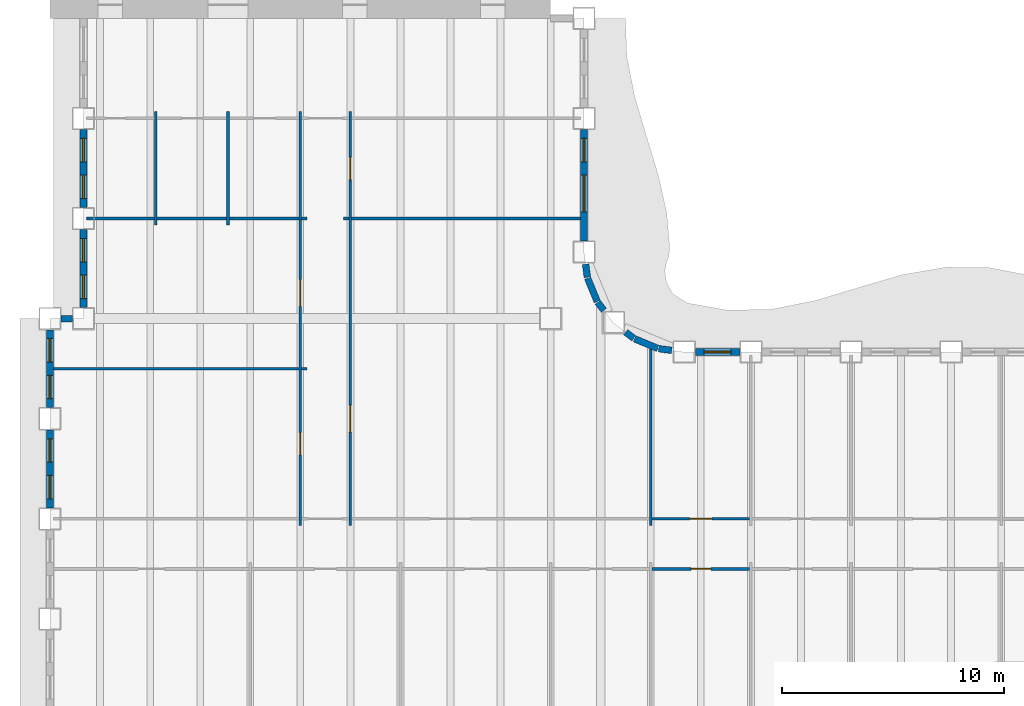
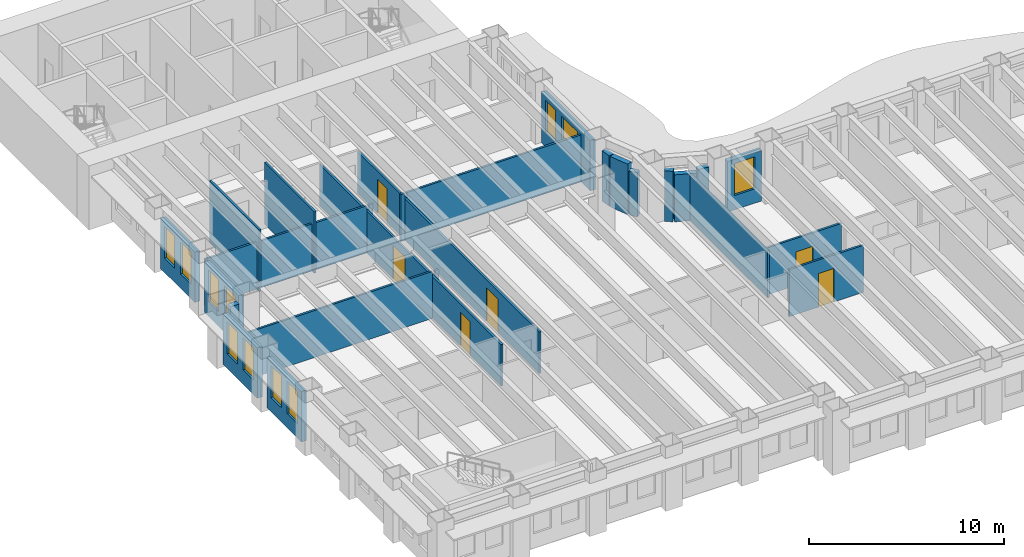
# One storey, part 4 of 16: 28 walls, 11 windows, 6 doors, 17 openings.
"""IFC4 building model written with IfcOpenShell, lengths in metres."""

from ifc_helpers import new_model, si_unit, direction, frame, frame_2d, origin, place, context, subcontext, project, spatial, rectangle, extrude, material, layer, layer_set, type_object, element, fill, save


model = new_model("IFC4")

# Units and contexts
model_context = context("Model", 3, precision=1e-05, world=origin(), true_north=direction((0.0, 1.0)))
body_context = subcontext(model_context, "Body", "Model", "MODEL_VIEW")
ifc_project = project(units=[si_unit("LENGTHUNIT", "METRE"), si_unit("AREAUNIT", "SQUARE_METRE"), si_unit("VOLUMEUNIT", "CUBIC_METRE"), si_unit("PLANEANGLEUNIT", "RADIAN"), si_unit("MASSUNIT", "GRAM", prefix="KILO")], contexts=[model_context])

# Site, building, storey
site_placement = place(None, origin())
site = spatial("IfcSite", under=ifc_project, at=site_placement, CompositionType="ELEMENT")
building_placement = place(site_placement, origin())
building = spatial("IfcBuilding", under=site, at=building_placement, Name="Sennacour Bend Tower", CompositionType="ELEMENT")
storey_placement = place(building_placement, frame((0.0, 0.0, 83.0)))
storey = spatial("IfcBuildingStorey", under=building, at=storey_placement, Name="L18", CompositionType="ELEMENT", Elevation=83.0)

# Walls
ifc_material_1 = material(Name="Plasterboard partition on steel studs", Category="steel")
ifc_layer_1 = layer(ifc_material_1, 0.1201171875, Name="Plasterboard partition on steel studs", Category="steel")
ifc_layer_set_1 = layer_set([ifc_layer_1], Name="Plasterboard partition on steel studs")
wall_type_1 = type_object("IfcWallType", Name="Partition 120", PredefinedType="PARTITIONING", material=ifc_layer_set_1)
for number, where, z_axis, x_axis, name in (
    (1, (4.75, 26.699951171875, 0.0), (0.0, 0.0, 1.0), (0.0, 1.0, 0.0), "P-L18-W007a"),
    (2, (8.0, 26.699951171875, 0.0), (0.0, 0.0, 1.0), (0.0, 1.0, 0.0), "P-L18-W009a"),
):
    element("IfcWall", number, at=place(storey_placement, frame(where, z_axis=z_axis, x_axis=x_axis)), inside=storey, type_object=wall_type_1, Name=name, PredefinedType="PARTITIONING", context=body_context, shape_type="SweptSolid", body=[
        extrude(rectangle(XDim=5.10009765625, YDim=0.1201171875, at=frame_2d((2.550048828125, 0.0))), origin(), (0.0, 0.0, 1.0), 3.85009765625),
    ])

# Wall, openings, doors
wall_1_placement = place(storey_placement, frame((11.25, 13.199951171875, 0.0), z_axis=(0.0, 0.0, 1.0), x_axis=(0.0, 1.0, 0.0)))
wall_1 = element("IfcWall", 3, at=wall_1_placement, inside=storey, type_object=wall_type_1, Name="P-L18-W014a", PredefinedType="PARTITIONING", context=body_context, shape_type="SweptSolid", body=[
    extrude(rectangle(XDim=18.60009765625, YDim=0.1201171875, at=frame_2d((9.300048828125, 0.0))), origin(), (0.0, 0.0, 1.0), 2.60009765625),
])
opening_1_placement = place(wall_1_placement, frame((3.175048828125, 0.0, 0.0)))
opening_1 = element("IfcOpeningElement", 4, at=opening_1_placement, cuts=wall_1, Name="Opening OD2", PredefinedType="OPENING", context=body_context, shape_type="SweptSolid", body=[
    extrude(rectangle(XDim=1.0, YDim=2.10009765625, at=frame_2d((0.5, 1.050048828125))), frame((0.0, 0.070068359375, 0.0), z_axis=(0.0, -1.0, 0.0), x_axis=(1.0, 0.0, 0.0)), (0.0, 0.0, 1.0), 0.14013671875),
])
opening_2_placement = place(wall_1_placement, frame((9.85498046875, 0.0, 0.0)))
opening_2 = element("IfcOpeningElement", 5, at=opening_2_placement, cuts=wall_1, Name="Opening MD", PredefinedType="OPENING", context=body_context, shape_type="SweptSolid", body=[
    extrude(rectangle(XDim=1.199951171875, YDim=2.10009765625, at=frame_2d((0.60009765625, 1.050048828125))), frame((0.0, 0.070068359375, 0.0), z_axis=(0.0, -1.0, 0.0), x_axis=(1.0, 0.0, 0.0)), (0.0, 0.0, 1.0), 0.14013671875),
])
ifc_material_2 = material(Name="Timber", Category="wood")
door_type_1 = type_object("IfcDoorType", Name="DR-MEETING-1200", OperationType="NOTDEFINED", PredefinedType="DOOR", material=ifc_material_2)
door_1_placement = place(opening_2_placement, origin())
door_1 = element("IfcDoor", 6, at=door_1_placement, inside=storey, type_object=door_type_1, Name="Door", OperationType="SINGLE_SWING_RIGHT", OverallHeight=2.10009765625, OverallWidth=1.199951171875, PredefinedType="DOOR", context=body_context, shape_type="SweptSolid", body=[
    extrude(rectangle(XDim=1.199951171875, YDim=2.10009765625, at=frame_2d((0.60009765625, 1.050048828125))), frame((0.0, 0.02490234375, 0.0), z_axis=(0.0, -1.0, 0.0), x_axis=(1.0, 0.0, 0.0)), (0.0, 0.0, 1.0), 0.050048828125),
])
fill(opening_2, door_1)
door_type_2 = type_object("IfcDoorType", Name="DR-OFFICE-1000", OperationType="NOTDEFINED", PredefinedType="DOOR", material=ifc_material_2)
door_2_placement = place(opening_1_placement, origin())
door_2 = element("IfcDoor", 7, at=door_2_placement, inside=storey, type_object=door_type_2, Name="Door", OperationType="SINGLE_SWING_LEFT", OverallHeight=2.10009765625, OverallWidth=1.0, PredefinedType="DOOR", context=body_context, shape_type="SweptSolid", body=[
    extrude(rectangle(XDim=1.0, YDim=2.10009765625, at=frame_2d((0.5, 1.050048828125))), frame((0.0, 0.02490234375, 0.0), z_axis=(0.0, -1.0, 0.0), x_axis=(1.0, 0.0, 0.0)), (0.0, 0.0, 1.0), 0.050048828125),
])
fill(opening_1, door_2)

wall_2_placement = place(storey_placement, frame((13.5, 13.199951171875, 0.0), z_axis=(0.0, 0.0, 1.0), x_axis=(0.0, 1.0, 0.0)))
wall_2 = element("IfcWall", 8, at=wall_2_placement, inside=storey, type_object=wall_type_1, Name="P-L18-W016a", PredefinedType="PARTITIONING", context=body_context, shape_type="SweptSolid", body=[
    extrude(rectangle(XDim=18.60009765625, YDim=0.1201171875, at=frame_2d((9.300048828125, 0.0))), origin(), (0.0, 0.0, 1.0), 2.60009765625),
])
opening_3_placement = place(wall_2_placement, frame((15.550048828125, 0.0, 0.0)))
opening_3 = element("IfcOpeningElement", 9, at=opening_3_placement, cuts=wall_2, Name="Opening OD2", PredefinedType="OPENING", context=body_context, shape_type="SweptSolid", body=[
    extrude(rectangle(XDim=1.0, YDim=2.10009765625, at=frame_2d((0.5, 1.050048828125))), frame((0.0, 0.070068359375, 0.0), z_axis=(0.0, -1.0, 0.0), x_axis=(1.0, 0.0, 0.0)), (0.0, 0.0, 1.0), 0.14013671875),
])
opening_4_placement = place(wall_2_placement, frame((4.199951171875, 0.0, 0.0)))
opening_4 = element("IfcOpeningElement", 10, at=opening_4_placement, cuts=wall_2, Name="Opening OD", PredefinedType="OPENING", context=body_context, shape_type="SweptSolid", body=[
    extrude(rectangle(XDim=1.199951171875, YDim=2.10009765625, at=frame_2d((0.60009765625, 1.050048828125))), frame((0.0, 0.070068359375, 0.0), z_axis=(0.0, -1.0, 0.0), x_axis=(1.0, 0.0, 0.0)), (0.0, 0.0, 1.0), 0.14013671875),
])
door_3_placement = place(opening_3_placement, origin())
door_3 = element("IfcDoor", 11, at=door_3_placement, inside=storey, type_object=door_type_2, Name="Door", OperationType="SINGLE_SWING_RIGHT", OverallHeight=2.10009765625, OverallWidth=1.0, PredefinedType="DOOR", context=body_context, shape_type="SweptSolid", body=[
    extrude(rectangle(XDim=1.0, YDim=2.10009765625, at=frame_2d((0.5, 1.050048828125))), frame((0.0, 0.02490234375, 0.0), z_axis=(0.0, -1.0, 0.0), x_axis=(1.0, 0.0, 0.0)), (0.0, 0.0, 1.0), 0.050048828125),
])
fill(opening_3, door_3)
door_type_3 = type_object("IfcDoorType", Name="DR-OFFICE-1200", OperationType="NOTDEFINED", PredefinedType="DOOR", material=ifc_material_2)
door_4_placement = place(opening_4_placement, origin())
door_4 = element("IfcDoor", 12, at=door_4_placement, inside=storey, type_object=door_type_3, Name="Door", OperationType="SINGLE_SWING_LEFT", OverallHeight=2.10009765625, OverallWidth=1.199951171875, PredefinedType="DOOR", context=body_context, shape_type="SweptSolid", body=[
    extrude(rectangle(XDim=1.199951171875, YDim=2.10009765625, at=frame_2d((0.60009765625, 1.050048828125))), frame((0.0, 0.02490234375, 0.0), z_axis=(0.0, -1.0, 0.0), x_axis=(1.0, 0.0, 0.0)), (0.0, 0.0, 1.0), 0.050048828125),
])
fill(opening_4, door_4)

# Wall
wall_3_placement = place(storey_placement, frame((27.0, 13.199951171875, 0.0), z_axis=(0.0, 0.0, 1.0), x_axis=(0.0, 1.0, 0.0)))
element("IfcWall", 13, at=wall_3_placement, inside=storey, type_object=wall_type_1, Name="P-L18-W027a", PredefinedType="PARTITIONING", context=body_context, shape_type="SweptSolid", body=[
    extrude(rectangle(XDim=7.929931640625, YDim=0.1201171875, at=frame_2d((3.96484375, 0.0))), origin(), (0.0, 0.0, 1.0), 2.93798828125),
])

# Wall, opening, door
wall_4_placement = place(storey_placement, frame((27.06005859375, 13.5, 0.0), z_axis=(0.0, 0.0, 1.0), x_axis=(1.0, 0.0, 0.0)))
wall_4 = element("IfcWall", 14, at=wall_4_placement, inside=storey, type_object=wall_type_1, Name="P-L18-W060ad", PredefinedType="PARTITIONING", context=body_context, shape_type="SweptSolid", body=[
    extrude(rectangle(XDim=4.3798828125, YDim=0.1201171875, at=frame_2d((2.18994140625, 0.0))), origin(), (0.0, 0.0, 1.0), 2.93798828125),
])
opening_5_placement = place(wall_4_placement, frame((1.68994140625, 0.0, 0.0)))
opening_5 = element("IfcOpeningElement", 15, at=opening_5_placement, cuts=wall_4, Name="Opening OD2", PredefinedType="OPENING", context=body_context, shape_type="SweptSolid", body=[
    extrude(rectangle(XDim=1.0, YDim=2.10009765625, at=frame_2d((0.5, 1.050048828125))), frame((0.0, 0.070068359375, 0.0), z_axis=(0.0, -1.0, 0.0), x_axis=(1.0, 0.0, 0.0)), (0.0, 0.0, 1.0), 0.14013671875),
])
door_5_placement = place(opening_5_placement, origin())
door_5 = element("IfcDoor", 16, at=door_5_placement, inside=storey, type_object=door_type_2, Name="Door", OperationType="SINGLE_SWING_LEFT", OverallHeight=2.10009765625, OverallWidth=1.0, PredefinedType="DOOR", context=body_context, shape_type="SweptSolid", body=[
    extrude(rectangle(XDim=1.0, YDim=2.10009765625, at=frame_2d((0.5, 1.050048828125))), frame((0.0, 0.02490234375, 0.0), z_axis=(0.0, -1.0, 0.0), x_axis=(1.0, 0.0, 0.0)), (0.0, 0.0, 1.0), 0.050048828125),
])
fill(opening_5, door_5)

# Walls
wall_5_placement = place(storey_placement, frame((0.14990234375, 20.25, 0.0), z_axis=(0.0, 0.0, 1.0), x_axis=(1.0, 0.0, 0.0)))
element("IfcWall", 17, at=wall_5_placement, inside=storey, type_object=wall_type_1, Name="P-L18-W067aa", PredefinedType="PARTITIONING", context=body_context, shape_type="SweptSolid", body=[
    extrude(rectangle(XDim=11.0400390625, YDim=0.1201171875, at=frame_2d((5.52001953125, 0.0))), origin(), (0.0, 0.0, 1.0), 2.93798828125),
])
wall_6_placement = place(storey_placement, frame((11.31005859375, 20.25, 0.0), z_axis=(0.0, 0.0, 1.0), x_axis=(1.0, 0.0, 0.0)))
element("IfcWall", 18, at=wall_6_placement, inside=storey, type_object=wall_type_1, Name="P-L18-W067ab", PredefinedType="PARTITIONING", context=body_context, shape_type="SweptSolid", body=[
    extrude(rectangle(XDim=0.239990234375, YDim=0.1201171875, at=frame_2d((0.1201171875, 0.0))), origin(), (0.0, 0.0, 1.0), 2.93798828125),
])
wall_7_placement = place(storey_placement, frame((1.64990234375, 27.0, 0.0), z_axis=(0.0, 0.0, 1.0), x_axis=(1.0, 0.0, 0.0)))
element("IfcWall", 19, at=wall_7_placement, inside=storey, type_object=wall_type_1, Name="P-L18-W070aa", PredefinedType="PARTITIONING", context=body_context, shape_type="SweptSolid", body=[
    extrude(rectangle(XDim=3.0400390625, YDim=0.1201171875, at=frame_2d((1.52001953125, 0.0))), origin(), (0.0, 0.0, 1.0), 2.93798828125),
])
for number, where, z_axis, x_axis, name in (
    (20, (4.81005859375, 27.0, 0.0), (0.0, 0.0, 1.0), (1.0, 0.0, 0.0), "P-L18-W070ab"),
    (21, (8.06005859375, 27.0, 0.0), (0.0, 0.0, 1.0), (1.0, 0.0, 0.0), "P-L18-W070ac"),
):
    element("IfcWall", number, at=place(storey_placement, frame(where, z_axis=z_axis, x_axis=x_axis)), inside=storey, type_object=wall_type_1, Name=name, PredefinedType="PARTITIONING", context=body_context, shape_type="SweptSolid", body=[
        extrude(rectangle(XDim=3.1298828125, YDim=0.1201171875, at=frame_2d((1.56494140625, 0.0))), origin(), (0.0, 0.0, 1.0), 2.93798828125),
    ])
for number, where, z_axis, x_axis, name in (
    (22, (11.31005859375, 27.0, 0.0), (0.0, 0.0, 1.0), (1.0, 0.0, 0.0), "P-L18-W070ad"),
    (23, (13.199951171875, 27.0, 0.0), (0.0, 0.0, 1.0), (1.0, 0.0, 0.0), "P-L18-W071aa"),
):
    element("IfcWall", number, at=place(storey_placement, frame(where, z_axis=z_axis, x_axis=x_axis)), inside=storey, type_object=wall_type_1, Name=name, PredefinedType="PARTITIONING", context=body_context, shape_type="SweptSolid", body=[
        extrude(rectangle(XDim=0.239990234375, YDim=0.1201171875, at=frame_2d((0.1201171875, 0.0))), origin(), (0.0, 0.0, 1.0), 2.93798828125),
    ])
wall_8_placement = place(storey_placement, frame((13.56005859375, 27.0, 0.0), z_axis=(0.0, 0.0, 1.0), x_axis=(1.0, 0.0, 0.0)))
element("IfcWall", 24, at=wall_8_placement, inside=storey, type_object=wall_type_1, Name="P-L18-W071ab", PredefinedType="PARTITIONING", context=body_context, shape_type="SweptSolid", body=[
    extrude(rectangle(XDim=10.2900390625, YDim=0.1201171875, at=frame_2d((5.14501953125, 0.0))), origin(), (0.0, 0.0, 1.0), 2.93798828125),
])

# Wall, opening, door
ifc_layer_2 = layer(ifc_material_1, 0.1201171875, Name="Plasterboard partition on steel studs", Category="steel")
ifc_layer_set_2 = layer_set([ifc_layer_2], Name="Plasterboard partition on steel studs")
wall_type_2 = type_object("IfcWallType", Name="Partition 120 EI 60", PredefinedType="PARTITIONING", material=ifc_layer_set_2)
wall_9_placement = place(storey_placement, frame((27.06005859375, 11.25, 0.0), z_axis=(0.0, 0.0, 1.0), x_axis=(1.0, 0.0, 0.0)))
wall_9 = element("IfcWall", 25, at=wall_9_placement, inside=storey, type_object=wall_type_2, Name="P-L18-W058ae", PredefinedType="PARTITIONING", context=body_context, shape_type="SweptSolid", body=[
    extrude(rectangle(XDim=4.3798828125, YDim=0.1201171875, at=frame_2d((2.18994140625, 0.0))), origin(), (0.0, 0.0, 1.0), 2.93798828125),
])
opening_6_placement = place(wall_9_placement, frame((1.739990234375, 0.0, 0.0)))
opening_6 = element("IfcOpeningElement", 26, at=opening_6_placement, cuts=wall_9, Name="Opening SV", PredefinedType="OPENING", context=body_context, shape_type="SweptSolid", body=[
    extrude(rectangle(XDim=0.89990234375, YDim=2.10009765625, at=frame_2d((0.449951171875, 1.050048828125))), frame((0.0, 0.070068359375, 0.0), z_axis=(0.0, -1.0, 0.0), x_axis=(1.0, 0.0, 0.0)), (0.0, 0.0, 1.0), 0.14013671875),
])
ifc_material_3 = material(Name="Painted steel", Category="steel")
door_type_4 = type_object("IfcDoorType", Name="DR-SERVICE-900", OperationType="NOTDEFINED", PredefinedType="DOOR", material=ifc_material_3)
door_6_placement = place(opening_6_placement, origin())
door_6 = element("IfcDoor", 27, at=door_6_placement, inside=storey, type_object=door_type_4, Name="Door", OperationType="SINGLE_SWING_LEFT", OverallHeight=2.10009765625, OverallWidth=0.89990234375, PredefinedType="DOOR", context=body_context, shape_type="SweptSolid", body=[
    extrude(rectangle(XDim=0.89990234375, YDim=2.10009765625, at=frame_2d((0.449951171875, 1.050048828125))), frame((0.0, 0.02490234375, 0.0), z_axis=(0.0, -1.0, 0.0), x_axis=(1.0, 0.0, 0.0)), (0.0, 0.0, 1.0), 0.050048828125),
])
fill(opening_6, door_6)

# Wall, opening, window
ifc_material_4 = material(Name="Warm limestone cladding", Category="masonry")
ifc_layer_3 = layer(ifc_material_4, 0.050048828125, Name="Warm limestone cladding", Category="masonry")
ifc_material_5 = material(Name="Precast concrete C40/50", Category="concrete")
ifc_layer_4 = layer(ifc_material_5, 0.25, Name="Precast concrete C40/50", Category="concrete")
ifc_layer_set_3 = layer_set([ifc_layer_3, ifc_layer_4], Name="Precast concrete C40/50 with limestone cladding")
wall_type_3 = type_object("IfcWallType", Name="STONE-CLAD PRECAST SPANDREL 300", PredefinedType="STANDARD", material=ifc_layer_set_3)
wall_10_placement = place(storey_placement, frame((31.0, 21.0, 0.0), z_axis=(0.0, 0.0, 1.0), x_axis=(-1.0, 0.0, 0.0)))
wall_10 = element("IfcWall", 28, at=wall_10_placement, inside=storey, type_object=wall_type_3, Name="Stone spandrel and pier wall L18 06.05", PredefinedType="STANDARD", context=body_context, shape_type="SweptSolid", body=[
    extrude(rectangle(XDim=2.0, YDim=0.300048828125, at=frame_2d((1.0, 0.0))), origin(), (0.0, 0.0, 1.0), 3.154052734375),
])
opening_7_placement = place(wall_10_placement, frame((0.39990234375, 0.0, 0.89990234375)))
opening_7 = element("IfcOpeningElement", 29, at=opening_7_placement, cuts=wall_10, Name="Opening W14", PredefinedType="OPENING", context=body_context, shape_type="SweptSolid", body=[
    extrude(rectangle(XDim=1.199951171875, YDim=2.0, at=frame_2d((0.60009765625, 1.0))), frame((0.0, 0.16015625, 0.0), z_axis=(0.0, -1.0, 0.0), x_axis=(1.0, 0.0, 0.0)), (0.0, 0.0, 1.0), 0.320068359375),
])
ifc_material_6 = material(Name="Clear low-emissivity glass", Category="glass")
window_type_1 = type_object("IfcWindowType", Name="WIN-RIBBON-1200x2000", PartitioningType="SINGLE_PANEL", PredefinedType="WINDOW", material=ifc_material_6)
window_1_placement = place(opening_7_placement, origin())
window_1 = element("IfcWindow", 30, at=window_1_placement, inside=storey, type_object=window_type_1, Name="Ribbon window L18 06.05", OverallHeight=2.0, OverallWidth=1.199951171875, PartitioningType="SINGLE_PANEL", PredefinedType="WINDOW", context=body_context, shape_type="SweptSolid", body=[
    extrude(rectangle(XDim=1.199951171875, YDim=2.0, at=frame_2d((0.60009765625, 1.0))), frame((0.0, 0.030029296875, 0.0), z_axis=(0.0, -1.0, 0.0), x_axis=(1.0, 0.0, 0.0)), (0.0, 0.0, 1.0), 0.06005859375),
])
fill(opening_7, window_1)

# Walls
wall_11_placement = place(storey_placement, frame((27.94384765625, 21.0732421875, 0.0), z_axis=(0.0, 0.0, 1.0), x_axis=(-0.991420685839, 0.130709692412, 0.0)))
element("IfcWall", 31, at=wall_11_placement, inside=storey, type_object=wall_type_3, Name="Stone spandrel and pier wall L18 07.00", PredefinedType="STANDARD", context=body_context, shape_type="SweptSolid", body=[
    extrude(rectangle(XDim=0.593994140625, YDim=0.300048828125, at=frame_2d((0.296875, 0.0))), origin(), (0.0, 0.0, 1.0), 3.154052734375),
])
wall_12_placement = place(storey_placement, frame((27.317138671875, 21.160888671875, 0.0), z_axis=(0.0, 0.0, 1.0), x_axis=(-0.923914616768, 0.382598720491, 0.0)))
element("IfcWall", 32, at=wall_12_placement, inside=storey, type_object=wall_type_3, Name="Stone spandrel and pier wall L18 08.00", PredefinedType="STANDARD", context=body_context, shape_type="SweptSolid", body=[
    extrude(rectangle(XDim=1.13525390625, YDim=0.300048828125, at=frame_2d((0.567626953125, 0.0))), origin(), (0.0, 0.0, 1.0), 2.93798828125),
])
wall_13_placement = place(storey_placement, frame((26.234375, 21.614990234375, 0.0), z_axis=(0.0, 0.0, 1.0), x_axis=(-0.793563062559, 0.608488016104, 0.0)))
element("IfcWall", 33, at=wall_13_placement, inside=storey, type_object=wall_type_3, Name="Stone spandrel and pier wall L18 09.00", PredefinedType="STANDARD", context=body_context, shape_type="SweptSolid", body=[
    extrude(rectangle(XDim=0.453857421875, YDim=0.300048828125, at=frame_2d((0.22705078125, 0.0))), origin(), (0.0, 0.0, 1.0), 3.154052734375),
])
wall_14_placement = place(storey_placement, frame((24.89111328125, 22.874267578125, 0.0), z_axis=(0.0, 0.0, 1.0), x_axis=(-0.608488016104, 0.793563062559, 0.0)))
element("IfcWall", 34, at=wall_14_placement, inside=storey, type_object=wall_type_3, Name="Stone spandrel and pier wall L18 10.00", PredefinedType="STANDARD", context=body_context, shape_type="SweptSolid", body=[
    extrude(rectangle(XDim=0.453857421875, YDim=0.300048828125, at=frame_2d((0.22705078125, 0.0))), origin(), (0.0, 0.0, 1.0), 2.760009765625),
])
wall_15_placement = place(storey_placement, frame((24.59521484375, 23.268310546875, 0.0), z_axis=(0.0, 0.0, 1.0), x_axis=(-0.382598720491, 0.923914616768, 0.0)))
element("IfcWall", 35, at=wall_15_placement, inside=storey, type_object=wall_type_3, Name="Stone spandrel and pier wall L18 11.00", PredefinedType="STANDARD", context=body_context, shape_type="SweptSolid", body=[
    extrude(rectangle(XDim=1.13525390625, YDim=0.300048828125, at=frame_2d((0.567626953125, 0.0))), origin(), (0.0, 0.0, 1.0), 3.154052734375),
])
wall_16_placement = place(storey_placement, frame((24.15087890625, 24.35498046875, 0.0), z_axis=(0.0, 0.0, 1.0), x_axis=(-0.130709692412, 0.991420685839, 0.0)))
element("IfcWall", 36, at=wall_16_placement, inside=storey, type_object=wall_type_3, Name="Stone spandrel and pier wall L18 12.00", PredefinedType="STANDARD", context=body_context, shape_type="SweptSolid", body=[
    extrude(rectangle(XDim=0.593994140625, YDim=0.300048828125, at=frame_2d((0.296875, 0.0))), origin(), (0.0, 0.0, 1.0), 3.154052734375),
])

# Wall, openings, windows
wall_17_placement = place(storey_placement, frame((24.0, 26.0, 0.0), z_axis=(0.0, 0.0, 1.0), x_axis=(0.0, 1.0, 0.0)))
wall_17 = element("IfcWall", 37, at=wall_17_placement, inside=storey, type_object=wall_type_3, Name="Stone spandrel and pier wall L18 13.00", PredefinedType="STANDARD", context=body_context, shape_type="SweptSolid", body=[
    extrude(rectangle(XDim=5.0, YDim=0.300048828125, at=frame_2d((2.5, 0.0))), origin(), (0.0, 0.0, 1.0), 3.154052734375),
])
opening_8_placement = place(wall_17_placement, frame((1.300048828125, 0.0, 0.89990234375)))
opening_8 = element("IfcOpeningElement", 38, at=opening_8_placement, cuts=wall_17, Name="Opening W10", PredefinedType="OPENING", context=body_context, shape_type="SweptSolid", body=[
    extrude(rectangle(XDim=1.64990234375, YDim=2.0, at=frame_2d((0.824951171875, 1.0))), frame((0.0, 0.16015625, 0.0), z_axis=(0.0, -1.0, 0.0), x_axis=(1.0, 0.0, 0.0)), (0.0, 0.0, 1.0), 0.320068359375),
])
opening_9_placement = place(wall_17_placement, frame((3.550048828125, 0.0, 0.89990234375)))
opening_9 = element("IfcOpeningElement", 39, at=opening_9_placement, cuts=wall_17, Name="Opening W13", PredefinedType="OPENING", context=body_context, shape_type="SweptSolid", body=[
    extrude(rectangle(XDim=1.050048828125, YDim=2.0, at=frame_2d((0.52490234375, 1.0))), frame((0.0, 0.16015625, 0.0), z_axis=(0.0, -1.0, 0.0), x_axis=(1.0, 0.0, 0.0)), (0.0, 0.0, 1.0), 0.320068359375),
])
window_type_2 = type_object("IfcWindowType", Name="WIN-RIBBON-1050x2000", PartitioningType="SINGLE_PANEL", PredefinedType="WINDOW", material=ifc_material_6)
window_2_placement = place(opening_9_placement, origin())
window_2 = element("IfcWindow", 40, at=window_2_placement, inside=storey, type_object=window_type_2, Name="Ribbon window L18 13.00.1", OverallHeight=2.0, OverallWidth=1.050048828125, PartitioningType="SINGLE_PANEL", PredefinedType="WINDOW", context=body_context, shape_type="SweptSolid", body=[
    extrude(rectangle(XDim=1.050048828125, YDim=2.0, at=frame_2d((0.52490234375, 1.0))), frame((0.0, 0.030029296875, 0.0), z_axis=(0.0, -1.0, 0.0), x_axis=(1.0, 0.0, 0.0)), (0.0, 0.0, 1.0), 0.06005859375),
])
fill(opening_9, window_2)
window_type_3 = type_object("IfcWindowType", Name="WIN-RIBBON-1650x2000", PartitioningType="SINGLE_PANEL", PredefinedType="WINDOW", material=ifc_material_6)
window_3_placement = place(opening_8_placement, origin())
window_3 = element("IfcWindow", 41, at=window_3_placement, inside=storey, type_object=window_type_3, Name="Ribbon window L18 13.00.0", OverallHeight=2.0, OverallWidth=1.64990234375, PartitioningType="SINGLE_PANEL", PredefinedType="WINDOW", context=body_context, shape_type="SweptSolid", body=[
    extrude(rectangle(XDim=1.64990234375, YDim=2.0, at=frame_2d((0.824951171875, 1.0))), frame((0.0, 0.030029296875, 0.0), z_axis=(0.0, -1.0, 0.0), x_axis=(1.0, 0.0, 0.0)), (0.0, 0.0, 1.0), 0.06005859375),
])
fill(opening_8, window_3)

wall_18_placement = place(storey_placement, frame((1.5, 31.0, 0.0), z_axis=(0.0, 0.0, 1.0), x_axis=(0.0, -1.0, 0.0)))
wall_18 = element("IfcWall", 42, at=wall_18_placement, inside=storey, type_object=wall_type_3, Name="Stone spandrel and pier wall L18 19.01", PredefinedType="STANDARD", context=body_context, shape_type="SweptSolid", body=[
    extrude(rectangle(XDim=3.5, YDim=0.300048828125, at=frame_2d((1.75, 0.0))), origin(), (0.0, 0.0, 1.0), 3.154052734375),
])
opening_10_placement = place(wall_18_placement, frame((0.39990234375, 0.0, 0.89990234375)))
opening_10 = element("IfcOpeningElement", 43, at=opening_10_placement, cuts=wall_18, Name="Opening W13", PredefinedType="OPENING", context=body_context, shape_type="SweptSolid", body=[
    extrude(rectangle(XDim=1.050048828125, YDim=2.0, at=frame_2d((0.52490234375, 1.0))), frame((0.0, 0.16015625, 0.0), z_axis=(0.0, -1.0, 0.0), x_axis=(1.0, 0.0, 0.0)), (0.0, 0.0, 1.0), 0.320068359375),
])
opening_11_placement = place(wall_18_placement, frame((2.050048828125, 0.0, 0.89990234375)))
opening_11 = element("IfcOpeningElement", 44, at=opening_11_placement, cuts=wall_18, Name="Opening W13", PredefinedType="OPENING", context=body_context, shape_type="SweptSolid", body=[
    extrude(rectangle(XDim=1.050048828125, YDim=2.0, at=frame_2d((0.52490234375, 1.0))), frame((0.0, 0.16015625, 0.0), z_axis=(0.0, -1.0, 0.0), x_axis=(1.0, 0.0, 0.0)), (0.0, 0.0, 1.0), 0.320068359375),
])
window_4_placement = place(opening_10_placement, origin())
window_4 = element("IfcWindow", 45, at=window_4_placement, inside=storey, type_object=window_type_2, Name="Ribbon window L18 19.01.0", OverallHeight=2.0, OverallWidth=1.050048828125, PartitioningType="SINGLE_PANEL", PredefinedType="WINDOW", context=body_context, shape_type="SweptSolid", body=[
    extrude(rectangle(XDim=1.050048828125, YDim=2.0, at=frame_2d((0.52490234375, 1.0))), frame((0.0, 0.030029296875, 0.0), z_axis=(0.0, -1.0, 0.0), x_axis=(1.0, 0.0, 0.0)), (0.0, 0.0, 1.0), 0.06005859375),
])
fill(opening_10, window_4)
window_5_placement = place(opening_11_placement, origin())
window_5 = element("IfcWindow", 46, at=window_5_placement, inside=storey, type_object=window_type_2, Name="Ribbon window L18 19.01.1", OverallHeight=2.0, OverallWidth=1.050048828125, PartitioningType="SINGLE_PANEL", PredefinedType="WINDOW", context=body_context, shape_type="SweptSolid", body=[
    extrude(rectangle(XDim=1.050048828125, YDim=2.0, at=frame_2d((0.52490234375, 1.0))), frame((0.0, 0.030029296875, 0.0), z_axis=(0.0, -1.0, 0.0), x_axis=(1.0, 0.0, 0.0)), (0.0, 0.0, 1.0), 0.06005859375),
])
fill(opening_11, window_5)

wall_19_placement = place(storey_placement, frame((1.5, 26.5, 0.0), z_axis=(0.0, 0.0, 1.0), x_axis=(0.0, -1.0, 0.0)))
wall_19 = element("IfcWall", 47, at=wall_19_placement, inside=storey, type_object=wall_type_3, Name="Stone spandrel and pier wall L18 19.02", PredefinedType="STANDARD", context=body_context, shape_type="SweptSolid", body=[
    extrude(rectangle(XDim=3.5, YDim=0.300048828125, at=frame_2d((1.75, 0.0))), origin(), (0.0, 0.0, 1.0), 3.154052734375),
])
opening_12_placement = place(wall_19_placement, frame((0.39990234375, 0.0, 0.89990234375)))
opening_12 = element("IfcOpeningElement", 48, at=opening_12_placement, cuts=wall_19, Name="Opening W13", PredefinedType="OPENING", context=body_context, shape_type="SweptSolid", body=[
    extrude(rectangle(XDim=1.050048828125, YDim=2.0, at=frame_2d((0.52490234375, 1.0))), frame((0.0, 0.16015625, 0.0), z_axis=(0.0, -1.0, 0.0), x_axis=(1.0, 0.0, 0.0)), (0.0, 0.0, 1.0), 0.320068359375),
])
opening_13_placement = place(wall_19_placement, frame((2.050048828125, 0.0, 0.89990234375)))
opening_13 = element("IfcOpeningElement", 49, at=opening_13_placement, cuts=wall_19, Name="Opening W13", PredefinedType="OPENING", context=body_context, shape_type="SweptSolid", body=[
    extrude(rectangle(XDim=1.050048828125, YDim=2.0, at=frame_2d((0.52490234375, 1.0))), frame((0.0, 0.16015625, 0.0), z_axis=(0.0, -1.0, 0.0), x_axis=(1.0, 0.0, 0.0)), (0.0, 0.0, 1.0), 0.320068359375),
])
window_6_placement = place(opening_12_placement, origin())
window_6 = element("IfcWindow", 50, at=window_6_placement, inside=storey, type_object=window_type_2, Name="Ribbon window L18 19.02.0", OverallHeight=2.0, OverallWidth=1.050048828125, PartitioningType="SINGLE_PANEL", PredefinedType="WINDOW", context=body_context, shape_type="SweptSolid", body=[
    extrude(rectangle(XDim=1.050048828125, YDim=2.0, at=frame_2d((0.52490234375, 1.0))), frame((0.0, 0.030029296875, 0.0), z_axis=(0.0, -1.0, 0.0), x_axis=(1.0, 0.0, 0.0)), (0.0, 0.0, 1.0), 0.06005859375),
])
fill(opening_12, window_6)
window_7_placement = place(opening_13_placement, origin())
window_7 = element("IfcWindow", 51, at=window_7_placement, inside=storey, type_object=window_type_2, Name="Ribbon window L18 19.02.1", OverallHeight=2.0, OverallWidth=1.050048828125, PartitioningType="SINGLE_PANEL", PredefinedType="WINDOW", context=body_context, shape_type="SweptSolid", body=[
    extrude(rectangle(XDim=1.050048828125, YDim=2.0, at=frame_2d((0.52490234375, 1.0))), frame((0.0, 0.030029296875, 0.0), z_axis=(0.0, -1.0, 0.0), x_axis=(1.0, 0.0, 0.0)), (0.0, 0.0, 1.0), 0.06005859375),
])
fill(opening_13, window_7)

# Wall
wall_20_placement = place(storey_placement, frame((1.0, 22.5, 0.0), z_axis=(0.0, 0.0, 1.0), x_axis=(-1.0, 0.0, 0.0)))
element("IfcWall", 52, at=wall_20_placement, inside=storey, type_object=wall_type_3, Name="Stone spandrel and pier wall L18 20.00", PredefinedType="STANDARD", context=body_context, shape_type="SweptSolid", body=[
    extrude(rectangle(XDim=0.5, YDim=0.300048828125, at=frame_2d((0.25, 0.0))), origin(), (0.0, 0.0, 1.0), 3.154052734375),
])

# Wall, openings, windows
wall_21_placement = place(storey_placement, frame((0.0, 22.0, 0.0), z_axis=(0.0, 0.0, 1.0), x_axis=(0.0, -1.0, 0.0)))
wall_21 = element("IfcWall", 53, at=wall_21_placement, inside=storey, type_object=wall_type_3, Name="Stone spandrel and pier wall L18 21.00", PredefinedType="STANDARD", context=body_context, shape_type="SweptSolid", body=[
    extrude(rectangle(XDim=3.5, YDim=0.300048828125, at=frame_2d((1.75, 0.0))), origin(), (0.0, 0.0, 1.0), 3.154052734375),
])
opening_14_placement = place(wall_21_placement, frame((0.39990234375, 0.0, 0.89990234375)))
opening_14 = element("IfcOpeningElement", 54, at=opening_14_placement, cuts=wall_21, Name="Opening W13", PredefinedType="OPENING", context=body_context, shape_type="SweptSolid", body=[
    extrude(rectangle(XDim=1.050048828125, YDim=2.0, at=frame_2d((0.52490234375, 1.0))), frame((0.0, 0.16015625, 0.0), z_axis=(0.0, -1.0, 0.0), x_axis=(1.0, 0.0, 0.0)), (0.0, 0.0, 1.0), 0.320068359375),
])
opening_15_placement = place(wall_21_placement, frame((2.050048828125, 0.0, 0.89990234375)))
opening_15 = element("IfcOpeningElement", 55, at=opening_15_placement, cuts=wall_21, Name="Opening W13", PredefinedType="OPENING", context=body_context, shape_type="SweptSolid", body=[
    extrude(rectangle(XDim=1.050048828125, YDim=2.0, at=frame_2d((0.52490234375, 1.0))), frame((0.0, 0.16015625, 0.0), z_axis=(0.0, -1.0, 0.0), x_axis=(1.0, 0.0, 0.0)), (0.0, 0.0, 1.0), 0.320068359375),
])
window_8_placement = place(opening_14_placement, origin())
window_8 = element("IfcWindow", 56, at=window_8_placement, inside=storey, type_object=window_type_2, Name="Ribbon window L18 21.00.0", OverallHeight=2.0, OverallWidth=1.050048828125, PartitioningType="SINGLE_PANEL", PredefinedType="WINDOW", context=body_context, shape_type="SweptSolid", body=[
    extrude(rectangle(XDim=1.050048828125, YDim=2.0, at=frame_2d((0.52490234375, 1.0))), frame((0.0, 0.030029296875, 0.0), z_axis=(0.0, -1.0, 0.0), x_axis=(1.0, 0.0, 0.0)), (0.0, 0.0, 1.0), 0.06005859375),
])
fill(opening_14, window_8)
window_9_placement = place(opening_15_placement, origin())
window_9 = element("IfcWindow", 57, at=window_9_placement, inside=storey, type_object=window_type_2, Name="Ribbon window L18 21.00.1", OverallHeight=2.0, OverallWidth=1.050048828125, PartitioningType="SINGLE_PANEL", PredefinedType="WINDOW", context=body_context, shape_type="SweptSolid", body=[
    extrude(rectangle(XDim=1.050048828125, YDim=2.0, at=frame_2d((0.52490234375, 1.0))), frame((0.0, 0.030029296875, 0.0), z_axis=(0.0, -1.0, 0.0), x_axis=(1.0, 0.0, 0.0)), (0.0, 0.0, 1.0), 0.06005859375),
])
fill(opening_15, window_9)

wall_22_placement = place(storey_placement, frame((0.0, 17.5, 0.0), z_axis=(0.0, 0.0, 1.0), x_axis=(0.0, -1.0, 0.0)))
wall_22 = element("IfcWall", 58, at=wall_22_placement, inside=storey, type_object=wall_type_3, Name="Stone spandrel and pier wall L18 21.01", PredefinedType="STANDARD", context=body_context, shape_type="SweptSolid", body=[
    extrude(rectangle(XDim=3.5, YDim=0.300048828125, at=frame_2d((1.75, 0.0))), origin(), (0.0, 0.0, 1.0), 3.154052734375),
])
opening_16_placement = place(wall_22_placement, frame((0.39990234375, 0.0, 0.89990234375)))
opening_16 = element("IfcOpeningElement", 59, at=opening_16_placement, cuts=wall_22, Name="Opening W13", PredefinedType="OPENING", context=body_context, shape_type="SweptSolid", body=[
    extrude(rectangle(XDim=1.050048828125, YDim=2.0, at=frame_2d((0.52490234375, 1.0))), frame((0.0, 0.16015625, 0.0), z_axis=(0.0, -1.0, 0.0), x_axis=(1.0, 0.0, 0.0)), (0.0, 0.0, 1.0), 0.320068359375),
])
opening_17_placement = place(wall_22_placement, frame((2.050048828125, 0.0, 0.89990234375)))
opening_17 = element("IfcOpeningElement", 60, at=opening_17_placement, cuts=wall_22, Name="Opening W13", PredefinedType="OPENING", context=body_context, shape_type="SweptSolid", body=[
    extrude(rectangle(XDim=1.050048828125, YDim=2.0, at=frame_2d((0.52490234375, 1.0))), frame((0.0, 0.16015625, 0.0), z_axis=(0.0, -1.0, 0.0), x_axis=(1.0, 0.0, 0.0)), (0.0, 0.0, 1.0), 0.320068359375),
])
window_10_placement = place(opening_16_placement, origin())
window_10 = element("IfcWindow", 61, at=window_10_placement, inside=storey, type_object=window_type_2, Name="Ribbon window L18 21.01.0", OverallHeight=2.0, OverallWidth=1.050048828125, PartitioningType="SINGLE_PANEL", PredefinedType="WINDOW", context=body_context, shape_type="SweptSolid", body=[
    extrude(rectangle(XDim=1.050048828125, YDim=2.0, at=frame_2d((0.52490234375, 1.0))), frame((0.0, 0.030029296875, 0.0), z_axis=(0.0, -1.0, 0.0), x_axis=(1.0, 0.0, 0.0)), (0.0, 0.0, 1.0), 0.06005859375),
])
fill(opening_16, window_10)
window_11_placement = place(opening_17_placement, origin())
window_11 = element("IfcWindow", 62, at=window_11_placement, inside=storey, type_object=window_type_2, Name="Ribbon window L18 21.01.1", OverallHeight=2.0, OverallWidth=1.050048828125, PartitioningType="SINGLE_PANEL", PredefinedType="WINDOW", context=body_context, shape_type="SweptSolid", body=[
    extrude(rectangle(XDim=1.050048828125, YDim=2.0, at=frame_2d((0.52490234375, 1.0))), frame((0.0, 0.030029296875, 0.0), z_axis=(0.0, -1.0, 0.0), x_axis=(1.0, 0.0, 0.0)), (0.0, 0.0, 1.0), 0.06005859375),
])
fill(opening_17, window_11)

save(model, "model.ifc")
